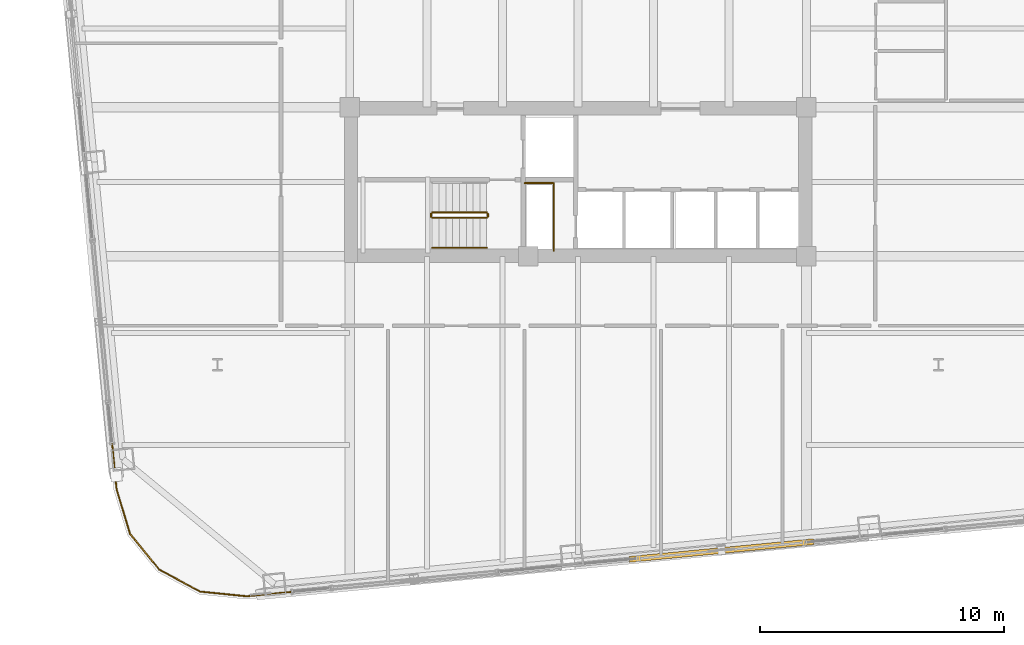
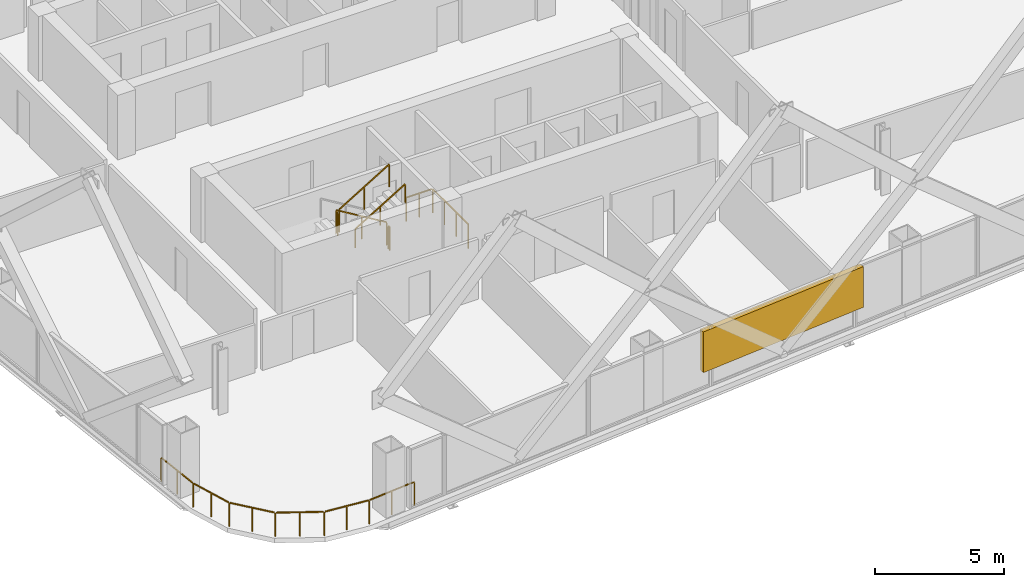
# One storey, part 30 of 32: 7 railings, 1 shading device.
"""IFC4 building model written with IfcOpenShell, lengths in metres."""

from ifc_helpers import new_model, si_unit, direction, frame, origin, origin_2d, place, context, subcontext, project, spatial, rectangle, extrude, material, type_object, element, save


model = new_model("IFC4")

# Units and contexts
model_context = context("Model", 3, precision=1e-05, world=origin(), true_north=direction((0.0, 1.0)))
body_context = subcontext(model_context, "Body", "Model", "MODEL_VIEW")
ifc_project = project(units=[si_unit("LENGTHUNIT", "METRE"), si_unit("AREAUNIT", "SQUARE_METRE"), si_unit("VOLUMEUNIT", "CUBIC_METRE"), si_unit("PLANEANGLEUNIT", "RADIAN"), si_unit("MASSUNIT", "GRAM", prefix="KILO")], contexts=[model_context])

# Site, building, storey
site_placement = place(None, origin())
site = spatial("IfcSite", under=ifc_project, at=site_placement, CompositionType="ELEMENT")
building_placement = place(site_placement, origin())
building = spatial("IfcBuilding", under=site, at=building_placement, Name="Qhalaya Broadcast Tower", CompositionType="ELEMENT")
storey_placement = place(building_placement, frame((0.0, 0.0, 81.64990234375)))
storey = spatial("IfcBuildingStorey", under=building, at=storey_placement, Name="L23", CompositionType="ELEMENT", Elevation=81.64990234375)

# Railings
ifc_material_1 = material(Name="Powder-Coated Galvanised Steel", Category="steel")
railing_type_1 = type_object("IfcRailingType", Name="Stair Wall Handrail 900", PredefinedType="HANDRAIL", material=ifc_material_1)
railing_1_placement = place(storey_placement, frame((-5.989990234375, -8.389892578125, 1.694580078125)))
element("IfcRailing", 1, at=railing_1_placement, inside=storey, type_object=railing_type_1, Name="L23 ST-2 Stair Handrail 2", PredefinedType="HANDRAIL", context=body_context, shape_type="SweptSolid", body=[
    extrude(rectangle(XDim=0.048095703125, YDim=0.048095703125, at=origin_2d()), frame((0.0, 0.0, 0.8759765625), z_axis=(0.855553338991, 0.0, 0.51771467445), x_axis=(0.0, 1.0, 0.0)), (0.0, 0.0, 1.0), 2.6181640625),
    extrude(rectangle(XDim=0.0419921875, YDim=0.0419921875, at=origin_2d()), origin(), (0.0, 0.0, 1.0), 0.849853515625),
    extrude(rectangle(XDim=0.0419921875, YDim=0.0419921875, at=origin_2d()), frame((1.1201171875, 0.0, 0.677734375)), (0.0, 0.0, 1.0), 0.849853515625),
    extrude(rectangle(XDim=0.0419921875, YDim=0.0419921875, at=origin_2d()), frame((2.239990234375, 0.0, 1.35546875)), (0.0, 0.0, 1.0), 0.849853515625),
])
railing_type_2 = type_object("IfcRailingType", Name="Stair Well & Landing Guardrail 1100", PredefinedType="GUARDRAIL", material=ifc_material_1)
railing_2_placement = place(storey_placement, frame((-1.0, -8.52001953125, 0.0)))
element("IfcRailing", 2, at=railing_2_placement, inside=storey, type_object=railing_type_2, Name="L23 Service Riser Opening Safety Guard SRSR", PredefinedType="GUARDRAIL", context=body_context, shape_type="SweptSolid", body=[
    extrude(rectangle(XDim=0.048095703125, YDim=0.048095703125, at=origin_2d()), frame((0.0, 0.0, 1.1259765625), z_axis=(0.0, 1.0, 0.0), x_axis=(-1.0, 0.0, 0.0)), (0.0, 0.0, 1.0), 2.751220703125),
    extrude(rectangle(XDim=0.048095703125, YDim=0.048095703125, at=origin_2d()), frame((-0.02880859375, 2.780029296875, 1.1259765625), z_axis=(-1.0, 0.0, 0.0), x_axis=(0.0, -1.0, 0.0)), (0.0, 0.0, 1.0), 1.151123046875),
    extrude(rectangle(XDim=0.0419921875, YDim=0.0419921875, at=origin_2d()), origin(), (0.0, 0.0, 1.0), 1.099853515625),
    extrude(rectangle(XDim=0.0419921875, YDim=0.0419921875, at=origin_2d()), frame((0.0, 0.9267578125, 0.0)), (0.0, 0.0, 1.0), 1.099853515625),
    extrude(rectangle(XDim=0.0419921875, YDim=0.0419921875, at=origin_2d()), frame((0.0, 1.853271484375, 0.0)), (0.0, 0.0, 1.0), 1.099853515625),
    extrude(rectangle(XDim=0.0419921875, YDim=0.0419921875, at=origin_2d()), frame((0.0, 2.780029296875, 0.0)), (0.0, 0.0, 1.0), 1.099853515625),
    extrude(rectangle(XDim=0.0419921875, YDim=0.0419921875, at=origin_2d()), frame((-0.58984375, 2.780029296875, 0.0)), (0.0, 0.0, 1.0), 1.099853515625),
    extrude(rectangle(XDim=0.0419921875, YDim=0.0419921875, at=origin_2d()), frame((-1.179931640625, 2.780029296875, 0.0)), (0.0, 0.0, 1.0), 1.099853515625),
])
railing_3_placement = place(storey_placement, frame((-3.75, -6.949951171875, 0.16943359375)))
element("IfcRailing", 3, at=railing_3_placement, inside=storey, type_object=railing_type_2, Name="L23 ST-2 Stair Guard 1", PredefinedType="GUARDRAIL", context=body_context, shape_type="SweptSolid", body=[
    extrude(rectangle(XDim=0.048095703125, YDim=0.048095703125, at=origin_2d()), frame((0.0, 0.0, 1.076171875), z_axis=(-0.855512035549, 0.0, 0.517782924622), x_axis=(0.0, -1.0, 0.0)), (0.0, 0.0, 1.0), 2.618408203125),
    extrude(rectangle(XDim=0.0419921875, YDim=0.0419921875, at=origin_2d()), origin(), (0.0, 0.0, 1.0), 1.050048828125),
    extrude(rectangle(XDim=0.0419921875, YDim=0.0419921875, at=origin_2d()), frame((-1.1201171875, 0.0, 0.677734375)), (0.0, 0.0, 1.0), 1.050048828125),
    extrude(rectangle(XDim=0.0419921875, YDim=0.0419921875, at=origin_2d()), frame((-2.239990234375, 0.0, 1.355712890625)), (0.0, 0.0, 1.0), 1.050048828125),
])
railing_4_placement = place(storey_placement, frame((-6.0400390625, -7.0, 1.525146484375)))
element("IfcRailing", 4, at=railing_4_placement, inside=storey, type_object=railing_type_2, Name="L23 ST-2 Stair Guard 2", PredefinedType="GUARDRAIL", context=body_context, shape_type="SweptSolid", body=[
    extrude(rectangle(XDim=0.048095703125, YDim=0.048095703125, at=origin_2d()), frame((0.0, 0.0, 1.076171875), z_axis=(0.0, -1.0, 0.0), x_axis=(1.0, 0.0, 0.0)), (0.0, 0.0, 1.0), 0.1201171875),
    extrude(rectangle(XDim=0.0419921875, YDim=0.0419921875, at=origin_2d()), origin(), (0.0, 0.0, 1.0), 1.050048828125),
    extrude(rectangle(XDim=0.0419921875, YDim=0.0419921875, at=origin_2d()), frame((0.0, -0.1201171875, 0.0)), (0.0, 0.0, 1.0), 1.050048828125),
])
railing_5_placement = place(storey_placement, frame((-5.989990234375, -7.169921875, 1.694580078125)))
element("IfcRailing", 5, at=railing_5_placement, inside=storey, type_object=railing_type_2, Name="L23 ST-2 Stair Guard 3", PredefinedType="GUARDRAIL", context=body_context, shape_type="SweptSolid", body=[
    extrude(rectangle(XDim=0.048095703125, YDim=0.048095703125, at=origin_2d()), frame((0.0, 0.0, 1.076171875), z_axis=(0.855553338991, 0.0, 0.51771467445), x_axis=(0.0, 1.0, 0.0)), (0.0, 0.0, 1.0), 2.6181640625),
    extrude(rectangle(XDim=0.0419921875, YDim=0.0419921875, at=origin_2d()), origin(), (0.0, 0.0, 1.0), 1.050048828125),
    extrude(rectangle(XDim=0.0419921875, YDim=0.0419921875, at=origin_2d()), frame((1.1201171875, 0.0, 0.677734375)), (0.0, 0.0, 1.0), 1.050048828125),
    extrude(rectangle(XDim=0.0419921875, YDim=0.0419921875, at=origin_2d()), frame((2.239990234375, 0.0, 1.35546875)), (0.0, 0.0, 1.0), 1.050048828125),
])
railing_6_placement = place(storey_placement, frame((-3.699951171875, -7.0, 0.0)))
element("IfcRailing", 6, at=railing_6_placement, inside=storey, type_object=railing_type_2, Name="L23 ST-2 Stair Guard 4", PredefinedType="GUARDRAIL", context=body_context, shape_type="SweptSolid", body=[
    extrude(rectangle(XDim=0.048095703125, YDim=0.048095703125, at=origin_2d()), frame((0.0, 0.0, 1.076171875), z_axis=(0.0, -1.0, 0.0), x_axis=(1.0, 0.0, 0.0)), (0.0, 0.0, 1.0), 0.1201171875),
    extrude(rectangle(XDim=0.0419921875, YDim=0.0419921875, at=origin_2d()), origin(), (0.0, 0.0, 1.0), 1.050048828125),
    extrude(rectangle(XDim=0.0419921875, YDim=0.0419921875, at=origin_2d()), frame((0.0, -0.1201171875, 0.0)), (0.0, 0.0, 1.0), 1.050048828125),
])
railing_type_3 = type_object("IfcRailingType", Name="Terrace, Sky-Pool & Lookout Glass Balustrade 1150", PredefinedType="BALUSTRADE", material=ifc_material_1)
railing_7_placement = place(storey_placement, frame((-11.50341796875, -22.501708984375, 0.0)))
element("IfcRailing", 7, at=railing_7_placement, inside=storey, type_object=railing_type_3, Name="L23 Rounded Corner Perimeter Guard 02", PredefinedType="BALUSTRADE", context=body_context, shape_type="SweptSolid", body=[
    extrude(rectangle(XDim=0.048095703125, YDim=0.048095703125, at=origin_2d()), frame((0.0, 0.0, 1.1259765625), z_axis=(-0.995402268864, -0.095782687057, 0.0), x_axis=(0.095782687057, -0.995402268864, 0.0)), (0.0, 0.0, 1.0), 2.08935546875),
    extrude(rectangle(XDim=0.048095703125, YDim=0.048095703125, at=origin_2d()), frame((-2.13720703125, -0.199951171875, 1.1259765625), z_axis=(-0.994978953282, 0.100084377028, 0.0), x_axis=(-0.100084377028, -0.994978953282, 0.0)), (0.0, 0.0, 1.0), 1.857177734375),
    extrude(rectangle(XDim=0.048095703125, YDim=0.048095703125, at=origin_2d()), frame((-4.0390625, 0.00244140625, 1.1259765625), z_axis=(-0.880907290044, 0.473288861424, 0.0), x_axis=(-0.473288861424, -0.880907290044, 0.0)), (0.0, 0.0, 1.0), 1.845703125),
    extrude(rectangle(XDim=0.048095703125, YDim=0.048095703125, at=origin_2d()), frame((-5.708740234375, 0.912109375, 1.1259765625), z_axis=(-0.632671796541, 0.774420039683, 0.0), x_axis=(-0.774420039683, -0.632671796541, 0.0)), (0.0, 0.0, 1.0), 1.845458984375),
    extrude(rectangle(XDim=0.048095703125, YDim=0.048095703125, at=origin_2d()), frame((-6.90283203125, 2.39111328125, 1.1259765625), z_axis=(-0.288213171456, 0.95756627332, 0.0), x_axis=(-0.95756627332, -0.288213171456, 0.0)), (0.0, 0.0, 1.0), 1.857421875),
    extrude(rectangle(XDim=0.048095703125, YDim=0.048095703125, at=origin_2d()), frame((-7.44921875, 4.226318359375, 1.1259765625), z_axis=(-0.095782687057, 0.995402268864, 0.0), x_axis=(-0.995402268864, -0.095782687057, 0.0)), (0.0, 0.0, 1.0), 2.08935546875),
    extrude(rectangle(XDim=0.0419921875, YDim=0.0419921875, at=origin_2d()), origin(), (0.0, 0.0, 1.0), 1.099853515625),
    extrude(rectangle(XDim=0.0419921875, YDim=0.0419921875, at=origin_2d()), frame((-1.05419921875, -0.1015625, 0.0)), (0.0, 0.0, 1.0), 1.099853515625),
    extrude(rectangle(XDim=0.0419921875, YDim=0.0419921875, at=origin_2d()), frame((-2.1083984375, -0.202880859375, 0.0)), (0.0, 0.0, 1.0), 1.099853515625),
    extrude(rectangle(XDim=0.0419921875, YDim=0.0419921875, at=origin_2d()), frame((-3.06103515625, -0.10693359375, 0.0)), (0.0, 0.0, 1.0), 1.099853515625),
    extrude(rectangle(XDim=0.0419921875, YDim=0.0419921875, at=origin_2d()), frame((-4.013671875, -0.01123046875, 0.0)), (0.0, 0.0, 1.0), 1.099853515625),
    extrude(rectangle(XDim=0.0419921875, YDim=0.0419921875, at=origin_2d()), frame((-4.85205078125, 0.439208984375, 0.0)), (0.0, 0.0, 1.0), 1.099853515625),
    extrude(rectangle(XDim=0.0419921875, YDim=0.0419921875, at=origin_2d()), frame((-5.6904296875, 0.8896484375, 0.0)), (0.0, 0.0, 1.0), 1.099853515625),
    extrude(rectangle(XDim=0.0419921875, YDim=0.0419921875, at=origin_2d()), frame((-6.29248046875, 1.62646484375, 0.0)), (0.0, 0.0, 1.0), 1.099853515625),
    extrude(rectangle(XDim=0.0419921875, YDim=0.0419921875, at=origin_2d()), frame((-6.89453125, 2.363525390625, 0.0)), (0.0, 0.0, 1.0), 1.099853515625),
    extrude(rectangle(XDim=0.0419921875, YDim=0.0419921875, at=origin_2d()), frame((-7.17041015625, 3.280517578125, 0.0)), (0.0, 0.0, 1.0), 1.099853515625),
    extrude(rectangle(XDim=0.0419921875, YDim=0.0419921875, at=origin_2d()), frame((-7.446533203125, 4.197509765625, 0.0)), (0.0, 0.0, 1.0), 1.099853515625),
    extrude(rectangle(XDim=0.0419921875, YDim=0.0419921875, at=origin_2d()), frame((-7.5478515625, 5.251708984375, 0.0)), (0.0, 0.0, 1.0), 1.099853515625),
    extrude(rectangle(XDim=0.0419921875, YDim=0.0419921875, at=origin_2d()), frame((-7.6494140625, 6.305908203125, 0.0)), (0.0, 0.0, 1.0), 1.099853515625),
])

# Shading device
ifc_material_2 = material(Name="Fired Architectural Terracotta", Category="masonry")
shading_device_type = type_object("IfcShadingDeviceType", Name="Terracotta Baguette Solar Screen Assembly TBS-01", PredefinedType="USERDEFINED", material=ifc_material_2)
shading_device_placement = place(storey_placement, frame((5.88623046875, -20.827392578125, 0.79248046875), z_axis=(0.0, 0.0, 1.0), x_axis=(0.995396198367, 0.09584575252, 0.0)))
element("IfcShadingDevice", 8, at=shading_device_placement, inside=storey, type_object=shading_device_type, Name="L23 Fired Terracotta Baguette Screen S", ObjectType="BAGUETTE", PredefinedType="USERDEFINED", context=body_context, shape_type="SweptSolid", body=[
    extrude(rectangle(XDim=7.60009765625, YDim=0.239990234375, at=origin_2d()), origin(), (0.0, 0.0, 1.0), 1.924072265625),
])

save(model, "model.ifc")
